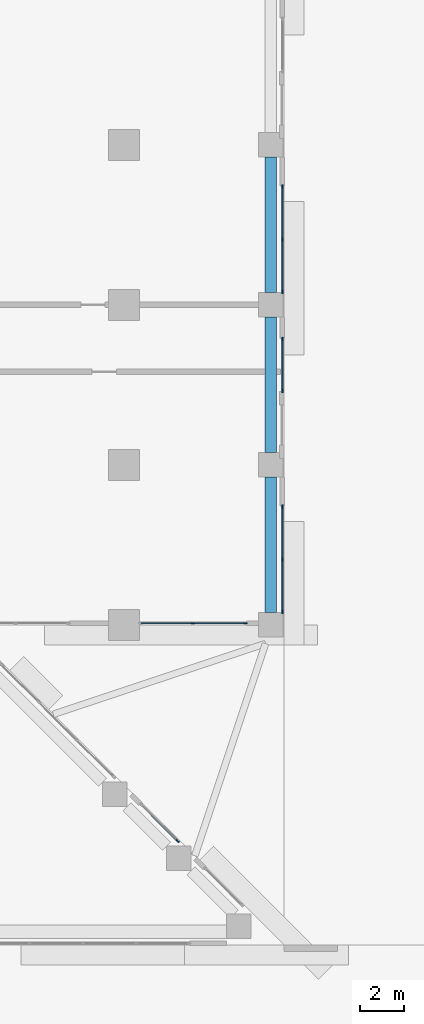
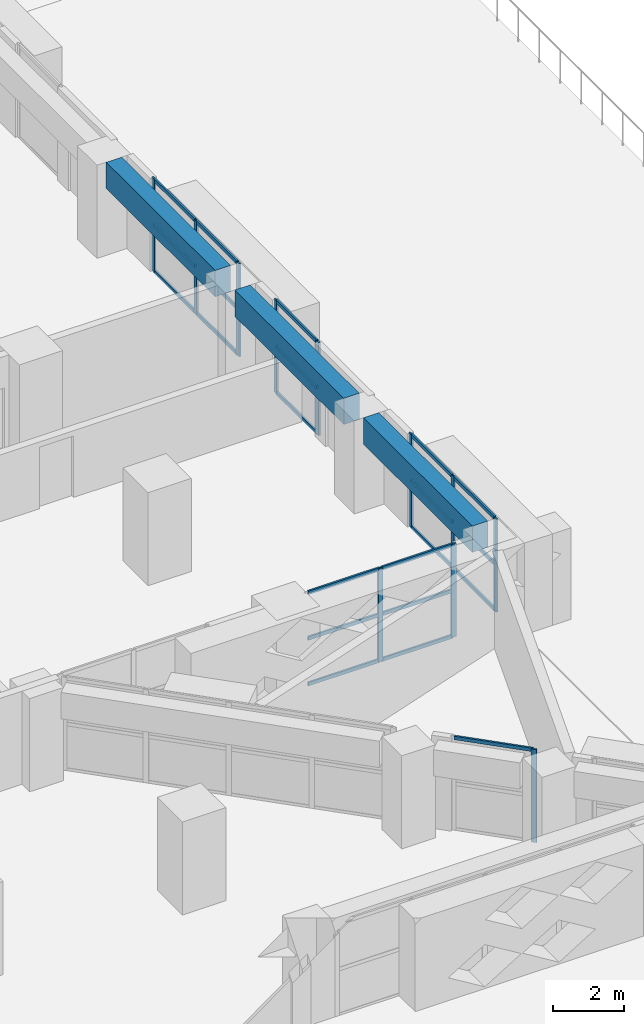
# One storey, part 8 of 24: 33 members, 3 beams, 5 elements without a shape of their own.
"""IFC4 building model written with IfcOpenShell, lengths in metres."""

from ifc_helpers import new_model, si_unit, direction, frame, origin, origin_2d, place, context, subcontext, project, spatial, rectangle, extrude, source, transform, mapped, material, layer, layer_set, material_profile, profile_set, type_object, element, aggregate, save


model = new_model("IFC4")

# Units and contexts
model_context = context("Model", 3, precision=1e-05, world=origin(), true_north=direction((0.0, 1.0)))
body_context = subcontext(model_context, "Body", "Model", "MODEL_VIEW")
ifc_project = project(units=[si_unit("LENGTHUNIT", "METRE"), si_unit("AREAUNIT", "SQUARE_METRE"), si_unit("VOLUMEUNIT", "CUBIC_METRE"), si_unit("PLANEANGLEUNIT", "RADIAN"), si_unit("MASSUNIT", "GRAM", prefix="KILO")], contexts=[model_context])

# Site, building, storey
site_placement = place(None, origin())
site = spatial("IfcSite", under=ifc_project, at=site_placement, CompositionType="ELEMENT")
building_placement = place(site_placement, origin())
building = spatial("IfcBuilding", under=site, at=building_placement, Name="Saffron Iwan Residences", CompositionType="ELEMENT")
storey_placement = place(building_placement, frame((0.0, 0.0, 27.0)))
storey = spatial("IfcBuildingStorey", under=building, at=storey_placement, Name="L05", CompositionType="ELEMENT", Elevation=27.0)

# Beams
ifc_material_1 = material(Name="Concrete C60/75", Category="concrete")
ifc_material_profile_1 = material_profile(ifc_material_1, rectangle(XDim=0.5, YDim=0.89990234375, at=origin_2d()), Name="RC 500x900")
ifc_profile_set_1 = profile_set([ifc_material_profile_1], Name="Concrete C60/75")
beam_type = type_object("IfcBeamType", Name="SPANDREL BEAM RC 500x900 C60/75 TOP 3180", PredefinedType="SPANDREL", material=ifc_profile_set_1)
shared_shape_1 = source(origin(), body_context, "Body", "SweptSolid", [
    extrude(rectangle(XDim=0.5, YDim=0.89990234375, at=origin_2d()), origin(), (0.0, 0.0, 1.0), 6.10009765625),
])
for number, where, z_axis, x_axis, name in (
    (1, (85.800048828125, 61.85009765625, 2.72998046875), (0.0, -1.0, 0.0), (1.0, 0.0, 0.0), "Spandrel beam"),
    (2, (85.800048828125, 69.050048828125, 2.72998046875), (0.0, -1.0, 0.0), (1.0, 0.0, 0.0), "Spandrel beam"),
):
    element("IfcBeam", number, at=place(storey_placement, frame(where, z_axis=z_axis, x_axis=x_axis)), inside=storey, type_object=beam_type, Name=name, PredefinedType="SPANDREL", context=body_context, shape_type="MappedRepresentation", body=[
        mapped(shared_shape_1, transform((0.0, 0.0, 0.0))),
    ])
shared_shape_2 = source(origin(), body_context, "Body", "SweptSolid", [
    extrude(rectangle(XDim=0.5, YDim=0.89990234375, at=origin_2d()), origin(), (0.0, 0.0, 1.0), 6.099853515625),
])
beam_placement = place(storey_placement, frame((85.800048828125, 54.64990234375, 2.72998046875), z_axis=(0.0, -1.0, 0.0), x_axis=(1.0, 0.0, 0.0)))
element("IfcBeam", 3, at=beam_placement, inside=storey, type_object=beam_type, Name="Spandrel beam", PredefinedType="SPANDREL", context=body_context, shape_type="MappedRepresentation", body=[
    mapped(shared_shape_2, transform((0.0, 0.0, 0.0))),
])

# Curtain wall, member
ifc_material_2 = material(Name="Clear glass, laminated double glazed", Category="glass")
ifc_layer = layer(ifc_material_2, 0.14990234375)
ifc_layer_set = layer_set([ifc_layer], Name="Clear glass, laminated double glazed")
curtain_wall_type = type_object("IfcCurtainWallType", Name="CW-D GARDEN FLOOR GLAZING", PredefinedType="NOTDEFINED", material=ifc_layer_set)
curtain_wall_1_placement = place(storey_placement, origin())
curtain_wall_1 = element("IfcCurtainWall", 4, at=curtain_wall_1_placement, inside=storey, type_object=curtain_wall_type, Name="Glazing L05 F0.2", PredefinedType="NOTDEFINED")
ifc_material_3 = material(Name="Aluminium 6063-T6", Category="aluminium")
ifc_material_profile_2 = material_profile(ifc_material_3, rectangle(XDim=0.06005859375, YDim=0.159912109375, at=origin_2d()), Name="CW-D MULLION 60 x 160")
ifc_profile_set_2 = profile_set([ifc_material_profile_2], Name="Aluminium 6063-T6")
member_type_1 = type_object("IfcMemberType", Name="CW-D MULLION 60 x 160", PredefinedType="MULLION", material=ifc_profile_set_2)
shared_shape_3 = source(origin(), body_context, "Body", "SweptSolid", [
    extrude(rectangle(XDim=0.06005859375, YDim=0.159912109375, at=origin_2d()), origin(), (0.0, 0.0, 1.0), 3.179931640625),
])
member_1_placement = place(storey_placement, frame((81.61328125, 38.2734375, 0.0), z_axis=(0.0, 0.0, 1.0), x_axis=(-0.707106781187, -0.707106781187, 0.0)))
member_1 = element("IfcMember", 5, at=member_1_placement, type_object=member_type_1, Name="CW-D mullion 1", PredefinedType="MULLION", context=body_context, shape_type="MappedRepresentation", body=[
    mapped(shared_shape_3, transform((0.0, 0.0, 0.0))),
])

# Curtain wall, members
curtain_wall_2_placement = place(storey_placement, origin())
curtain_wall_2 = element("IfcCurtainWall", 6, at=curtain_wall_2_placement, inside=storey, type_object=curtain_wall_type, Name="Glazing L05 F1.1", PredefinedType="NOTDEFINED")
member_2_placement = place(storey_placement, frame((82.300048828125, 48.080078125, 0.0), z_axis=(0.0, 0.0, 1.0), x_axis=(0.0, 1.0, 0.0)))
member_2 = element("IfcMember", 7, at=member_2_placement, type_object=member_type_1, Name="CW-D mullion 2", PredefinedType="MULLION", context=body_context, shape_type="MappedRepresentation", body=[
    mapped(shared_shape_3, transform((0.0, 0.0, 0.0))),
])
member_3_placement = place(storey_placement, frame((84.669921875, 48.080078125, 0.0), z_axis=(0.0, 0.0, 1.0), x_axis=(0.0, 1.0, 0.0)))
member_3 = element("IfcMember", 8, at=member_3_placement, type_object=member_type_1, Name="CW-D mullion 3", PredefinedType="MULLION", context=body_context, shape_type="MappedRepresentation", body=[
    mapped(shared_shape_3, transform((0.0, 0.0, 0.0))),
])

curtain_wall_3_placement = place(storey_placement, origin())
curtain_wall_3 = element("IfcCurtainWall", 9, at=curtain_wall_3_placement, inside=storey, type_object=curtain_wall_type, Name="Glazing L05 F2.0", PredefinedType="NOTDEFINED")
member_4_placement = place(storey_placement, frame((86.320068359375, 48.580078125, 0.0), z_axis=(0.0, 0.0, 1.0), x_axis=(-1.0, 0.0, 0.0)))
member_4 = element("IfcMember", 10, at=member_4_placement, type_object=member_type_1, Name="CW-D mullion 1", PredefinedType="MULLION", context=body_context, shape_type="MappedRepresentation", body=[
    mapped(shared_shape_3, transform((0.0, 0.0, 0.0))),
])
member_5_placement = place(storey_placement, frame((86.320068359375, 50.949951171875, 0.0), z_axis=(0.0, 0.0, 1.0), x_axis=(-1.0, 0.0, 0.0)))
member_5 = element("IfcMember", 11, at=member_5_placement, type_object=member_type_1, Name="CW-D mullion 2", PredefinedType="MULLION", context=body_context, shape_type="MappedRepresentation", body=[
    mapped(shared_shape_3, transform((0.0, 0.0, 0.0))),
])
member_6_placement = place(storey_placement, frame((86.320068359375, 53.320068359375, 0.0), z_axis=(0.0, 0.0, 1.0), x_axis=(-1.0, 0.0, 0.0)))
member_6 = element("IfcMember", 12, at=member_6_placement, type_object=member_type_1, Name="CW-D mullion 3", PredefinedType="MULLION", context=body_context, shape_type="MappedRepresentation", body=[
    mapped(shared_shape_3, transform((0.0, 0.0, 0.0))),
])

curtain_wall_4_placement = place(storey_placement, origin())
curtain_wall_4 = element("IfcCurtainWall", 13, at=curtain_wall_4_placement, inside=storey, type_object=curtain_wall_type, Name="Glazing L05 F2.1", PredefinedType="NOTDEFINED")
member_7_placement = place(storey_placement, frame((86.320068359375, 58.530029296875, 0.0), z_axis=(0.0, 0.0, 1.0), x_axis=(-1.0, 0.0, 0.0)))
member_7 = element("IfcMember", 14, at=member_7_placement, type_object=member_type_1, Name="CW-D mullion 1", PredefinedType="MULLION", context=body_context, shape_type="MappedRepresentation", body=[
    mapped(shared_shape_3, transform((0.0, 0.0, 0.0))),
])
member_8_placement = place(storey_placement, frame((86.320068359375, 60.8701171875, 0.0), z_axis=(0.0, 0.0, 1.0), x_axis=(-1.0, 0.0, 0.0)))
member_8 = element("IfcMember", 15, at=member_8_placement, type_object=member_type_1, Name="CW-D mullion 2", PredefinedType="MULLION", context=body_context, shape_type="MappedRepresentation", body=[
    mapped(shared_shape_3, transform((0.0, 0.0, 0.0))),
])

curtain_wall_5_placement = place(storey_placement, origin())
curtain_wall_5 = element("IfcCurtainWall", 16, at=curtain_wall_5_placement, inside=storey, type_object=curtain_wall_type, Name="Glazing L05 F2.2", PredefinedType="NOTDEFINED")
member_9_placement = place(storey_placement, frame((86.320068359375, 62.97998046875, 0.0), z_axis=(0.0, 0.0, 1.0), x_axis=(-1.0, 0.0, 0.0)))
member_9 = element("IfcMember", 17, at=member_9_placement, type_object=member_type_1, Name="CW-D mullion 1", PredefinedType="MULLION", context=body_context, shape_type="MappedRepresentation", body=[
    mapped(shared_shape_3, transform((0.0, 0.0, 0.0))),
])
member_10_placement = place(storey_placement, frame((86.320068359375, 65.35009765625, 0.0), z_axis=(0.0, 0.0, 1.0), x_axis=(-1.0, 0.0, 0.0)))
member_10 = element("IfcMember", 18, at=member_10_placement, type_object=member_type_1, Name="CW-D mullion 2", PredefinedType="MULLION", context=body_context, shape_type="MappedRepresentation", body=[
    mapped(shared_shape_3, transform((0.0, 0.0, 0.0))),
])
member_11_placement = place(storey_placement, frame((86.320068359375, 67.719970703125, 0.0), z_axis=(0.0, 0.0, 1.0), x_axis=(-1.0, 0.0, 0.0)))
member_11 = element("IfcMember", 19, at=member_11_placement, type_object=member_type_1, Name="CW-D mullion 3", PredefinedType="MULLION", context=body_context, shape_type="MappedRepresentation", body=[
    mapped(shared_shape_3, transform((0.0, 0.0, 0.0))),
])

# Member
ifc_material_profile_3 = material_profile(ifc_material_3, rectangle(XDim=0.06005859375, YDim=0.1201171875, at=origin_2d()), Name="CW-D TRANSOM 60 x 120")
ifc_profile_set_3 = profile_set([ifc_material_profile_3], Name="Aluminium 6063-T6")
member_type_2 = type_object("IfcMemberType", Name="CW-D TRANSOM 60 x 120", PredefinedType="USERDEFINED", material=ifc_profile_set_3)
shared_shape_4 = source(origin(), body_context, "Body", "SweptSolid", [
    extrude(rectangle(XDim=0.06005859375, YDim=0.1201171875, at=origin_2d()), origin(), (0.0, 0.0, 1.0), 2.280029296875),
])
member_12_placement = place(storey_placement, frame((81.592041015625, 38.294677734375, 3.14990234375), z_axis=(-0.707053238857, 0.707160319462, 0.0), x_axis=(-0.707160319462, -0.707053238857, 0.0)))
member_12 = element("IfcMember", 20, at=member_12_placement, type_object=member_type_2, Name="CW-D transom 1.3", ObjectType="TRANSOM", PredefinedType="USERDEFINED", context=body_context, shape_type="MappedRepresentation", body=[
    mapped(shared_shape_4, transform((0.0, 0.0, 0.0))),
])

aggregate(curtain_wall_1, [member_1, member_12])

member_13_placement = place(storey_placement, frame((86.320068359375, 58.56005859375, 0.030029296875), z_axis=(0.0, 1.0, 0.0), x_axis=(-1.0, 0.0, 0.0)))
member_13 = element("IfcMember", 21, at=member_13_placement, type_object=member_type_2, Name="CW-D transom 1.1", ObjectType="TRANSOM", PredefinedType="USERDEFINED", context=body_context, shape_type="MappedRepresentation", body=[
    mapped(shared_shape_4, transform((0.0, 0.0, 0.0))),
])

member_14_placement = place(storey_placement, frame((86.320068359375, 58.56005859375, 1.590087890625), z_axis=(0.0, 1.0, 0.0), x_axis=(-1.0, 0.0, 0.0)))
member_14 = element("IfcMember", 22, at=member_14_placement, type_object=member_type_2, Name="CW-D transom 1.2", ObjectType="TRANSOM", PredefinedType="USERDEFINED", context=body_context, shape_type="MappedRepresentation", body=[
    mapped(shared_shape_4, transform((0.0, 0.0, 0.0))),
])

member_15_placement = place(storey_placement, frame((86.320068359375, 58.56005859375, 3.14990234375), z_axis=(0.0, 1.0, 0.0), x_axis=(-1.0, 0.0, 0.0)))
member_15 = element("IfcMember", 23, at=member_15_placement, type_object=member_type_2, Name="CW-D transom 1.3", ObjectType="TRANSOM", PredefinedType="USERDEFINED", context=body_context, shape_type="MappedRepresentation", body=[
    mapped(shared_shape_4, transform((0.0, 0.0, 0.0))),
])

aggregate(curtain_wall_4, [member_7, member_8, member_13, member_14, member_15])

shared_shape_5 = source(origin(), body_context, "Body", "SweptSolid", [
    extrude(rectangle(XDim=0.06005859375, YDim=0.1201171875, at=origin_2d()), origin(), (0.0, 0.0, 1.0), 2.31005859375),
])
member_16_placement = place(storey_placement, frame((79.9599609375, 48.080078125, 0.030029296875), z_axis=(1.0, 0.0, 0.0), x_axis=(0.0, 1.0, 0.0)))
member_16 = element("IfcMember", 24, at=member_16_placement, type_object=member_type_2, Name="CW-D transom 1.1", ObjectType="TRANSOM", PredefinedType="USERDEFINED", context=body_context, shape_type="MappedRepresentation", body=[
    mapped(shared_shape_5, transform((0.0, 0.0, 0.0))),
])

member_17_placement = place(storey_placement, frame((79.9599609375, 48.080078125, 1.590087890625), z_axis=(1.0, 0.0, 0.0), x_axis=(0.0, 1.0, 0.0)))
member_17 = element("IfcMember", 25, at=member_17_placement, type_object=member_type_2, Name="CW-D transom 1.2", ObjectType="TRANSOM", PredefinedType="USERDEFINED", context=body_context, shape_type="MappedRepresentation", body=[
    mapped(shared_shape_5, transform((0.0, 0.0, 0.0))),
])

member_18_placement = place(storey_placement, frame((79.9599609375, 48.080078125, 3.14990234375), z_axis=(1.0, 0.0, 0.0), x_axis=(0.0, 1.0, 0.0)))
member_18 = element("IfcMember", 26, at=member_18_placement, type_object=member_type_2, Name="CW-D transom 1.3", ObjectType="TRANSOM", PredefinedType="USERDEFINED", context=body_context, shape_type="MappedRepresentation", body=[
    mapped(shared_shape_5, transform((0.0, 0.0, 0.0))),
])

member_19_placement = place(storey_placement, frame((86.320068359375, 50.97998046875, 0.030029296875), z_axis=(0.0, 1.0, 0.0), x_axis=(-1.0, 0.0, 0.0)))
member_19 = element("IfcMember", 27, at=member_19_placement, type_object=member_type_2, Name="CW-D transom 2.1", ObjectType="TRANSOM", PredefinedType="USERDEFINED", context=body_context, shape_type="MappedRepresentation", body=[
    mapped(shared_shape_5, transform((0.0, 0.0, 0.0))),
])

member_20_placement = place(storey_placement, frame((86.320068359375, 50.97998046875, 1.590087890625), z_axis=(0.0, 1.0, 0.0), x_axis=(-1.0, 0.0, 0.0)))
member_20 = element("IfcMember", 28, at=member_20_placement, type_object=member_type_2, Name="CW-D transom 2.2", ObjectType="TRANSOM", PredefinedType="USERDEFINED", context=body_context, shape_type="MappedRepresentation", body=[
    mapped(shared_shape_5, transform((0.0, 0.0, 0.0))),
])

member_21_placement = place(storey_placement, frame((86.320068359375, 50.97998046875, 3.14990234375), z_axis=(0.0, 1.0, 0.0), x_axis=(-1.0, 0.0, 0.0)))
member_21 = element("IfcMember", 29, at=member_21_placement, type_object=member_type_2, Name="CW-D transom 2.3", ObjectType="TRANSOM", PredefinedType="USERDEFINED", context=body_context, shape_type="MappedRepresentation", body=[
    mapped(shared_shape_5, transform((0.0, 0.0, 0.0))),
])

member_22_placement = place(storey_placement, frame((86.320068359375, 63.010009765625, 0.030029296875), z_axis=(0.0, 1.0, 0.0), x_axis=(-1.0, 0.0, 0.0)))
member_22 = element("IfcMember", 30, at=member_22_placement, type_object=member_type_2, Name="CW-D transom 1.1", ObjectType="TRANSOM", PredefinedType="USERDEFINED", context=body_context, shape_type="MappedRepresentation", body=[
    mapped(shared_shape_5, transform((0.0, 0.0, 0.0))),
])

member_23_placement = place(storey_placement, frame((86.320068359375, 63.010009765625, 1.590087890625), z_axis=(0.0, 1.0, 0.0), x_axis=(-1.0, 0.0, 0.0)))
member_23 = element("IfcMember", 31, at=member_23_placement, type_object=member_type_2, Name="CW-D transom 1.2", ObjectType="TRANSOM", PredefinedType="USERDEFINED", context=body_context, shape_type="MappedRepresentation", body=[
    mapped(shared_shape_5, transform((0.0, 0.0, 0.0))),
])

member_24_placement = place(storey_placement, frame((86.320068359375, 63.010009765625, 3.14990234375), z_axis=(0.0, 1.0, 0.0), x_axis=(-1.0, 0.0, 0.0)))
member_24 = element("IfcMember", 32, at=member_24_placement, type_object=member_type_2, Name="CW-D transom 1.3", ObjectType="TRANSOM", PredefinedType="USERDEFINED", context=body_context, shape_type="MappedRepresentation", body=[
    mapped(shared_shape_5, transform((0.0, 0.0, 0.0))),
])

member_25_placement = place(storey_placement, frame((86.320068359375, 65.3798828125, 0.030029296875), z_axis=(0.0, 1.0, 0.0), x_axis=(-1.0, 0.0, 0.0)))
member_25 = element("IfcMember", 33, at=member_25_placement, type_object=member_type_2, Name="CW-D transom 2.1", ObjectType="TRANSOM", PredefinedType="USERDEFINED", context=body_context, shape_type="MappedRepresentation", body=[
    mapped(shared_shape_5, transform((0.0, 0.0, 0.0))),
])

member_26_placement = place(storey_placement, frame((86.320068359375, 65.3798828125, 1.590087890625), z_axis=(0.0, 1.0, 0.0), x_axis=(-1.0, 0.0, 0.0)))
member_26 = element("IfcMember", 34, at=member_26_placement, type_object=member_type_2, Name="CW-D transom 2.2", ObjectType="TRANSOM", PredefinedType="USERDEFINED", context=body_context, shape_type="MappedRepresentation", body=[
    mapped(shared_shape_5, transform((0.0, 0.0, 0.0))),
])

member_27_placement = place(storey_placement, frame((86.320068359375, 65.3798828125, 3.14990234375), z_axis=(0.0, 1.0, 0.0), x_axis=(-1.0, 0.0, 0.0)))
member_27 = element("IfcMember", 35, at=member_27_placement, type_object=member_type_2, Name="CW-D transom 2.3", ObjectType="TRANSOM", PredefinedType="USERDEFINED", context=body_context, shape_type="MappedRepresentation", body=[
    mapped(shared_shape_5, transform((0.0, 0.0, 0.0))),
])

aggregate(curtain_wall_5, [member_9, member_10, member_11, member_22, member_23, member_24, member_25, member_26, member_27])

shared_shape_6 = source(origin(), body_context, "Body", "SweptSolid", [
    extrude(rectangle(XDim=0.06005859375, YDim=0.1201171875, at=origin_2d()), origin(), (0.0, 0.0, 1.0), 2.309814453125),
])
member_28_placement = place(storey_placement, frame((82.330078125, 48.080078125, 0.030029296875), z_axis=(1.0, 0.0, 0.0), x_axis=(0.0, 1.0, 0.0)))
member_28 = element("IfcMember", 36, at=member_28_placement, type_object=member_type_2, Name="CW-D transom 2.1", ObjectType="TRANSOM", PredefinedType="USERDEFINED", context=body_context, shape_type="MappedRepresentation", body=[
    mapped(shared_shape_6, transform((0.0, 0.0, 0.0))),
])

member_29_placement = place(storey_placement, frame((82.330078125, 48.080078125, 1.590087890625), z_axis=(1.0, 0.0, 0.0), x_axis=(0.0, 1.0, 0.0)))
member_29 = element("IfcMember", 37, at=member_29_placement, type_object=member_type_2, Name="CW-D transom 2.2", ObjectType="TRANSOM", PredefinedType="USERDEFINED", context=body_context, shape_type="MappedRepresentation", body=[
    mapped(shared_shape_6, transform((0.0, 0.0, 0.0))),
])

member_30_placement = place(storey_placement, frame((82.330078125, 48.080078125, 3.14990234375), z_axis=(1.0, 0.0, 0.0), x_axis=(0.0, 1.0, 0.0)))
member_30 = element("IfcMember", 38, at=member_30_placement, type_object=member_type_2, Name="CW-D transom 2.3", ObjectType="TRANSOM", PredefinedType="USERDEFINED", context=body_context, shape_type="MappedRepresentation", body=[
    mapped(shared_shape_6, transform((0.0, 0.0, 0.0))),
])

aggregate(curtain_wall_2, [member_2, member_3, member_16, member_17, member_18, member_28, member_29, member_30])

member_31_placement = place(storey_placement, frame((86.320068359375, 48.610107421875, 0.030029296875), z_axis=(0.0, 1.0, 0.0), x_axis=(-1.0, 0.0, 0.0)))
member_31 = element("IfcMember", 39, at=member_31_placement, type_object=member_type_2, Name="CW-D transom 1.1", ObjectType="TRANSOM", PredefinedType="USERDEFINED", context=body_context, shape_type="MappedRepresentation", body=[
    mapped(shared_shape_6, transform((0.0, 0.0, 0.0))),
])

member_32_placement = place(storey_placement, frame((86.320068359375, 48.610107421875, 1.590087890625), z_axis=(0.0, 1.0, 0.0), x_axis=(-1.0, 0.0, 0.0)))
member_32 = element("IfcMember", 40, at=member_32_placement, type_object=member_type_2, Name="CW-D transom 1.2", ObjectType="TRANSOM", PredefinedType="USERDEFINED", context=body_context, shape_type="MappedRepresentation", body=[
    mapped(shared_shape_6, transform((0.0, 0.0, 0.0))),
])

member_33_placement = place(storey_placement, frame((86.320068359375, 48.610107421875, 3.14990234375), z_axis=(0.0, 1.0, 0.0), x_axis=(-1.0, 0.0, 0.0)))
member_33 = element("IfcMember", 41, at=member_33_placement, type_object=member_type_2, Name="CW-D transom 1.3", ObjectType="TRANSOM", PredefinedType="USERDEFINED", context=body_context, shape_type="MappedRepresentation", body=[
    mapped(shared_shape_6, transform((0.0, 0.0, 0.0))),
])

aggregate(curtain_wall_3, [member_4, member_5, member_6, member_31, member_32, member_33, member_19, member_20, member_21])

save(model, "model.ifc")
